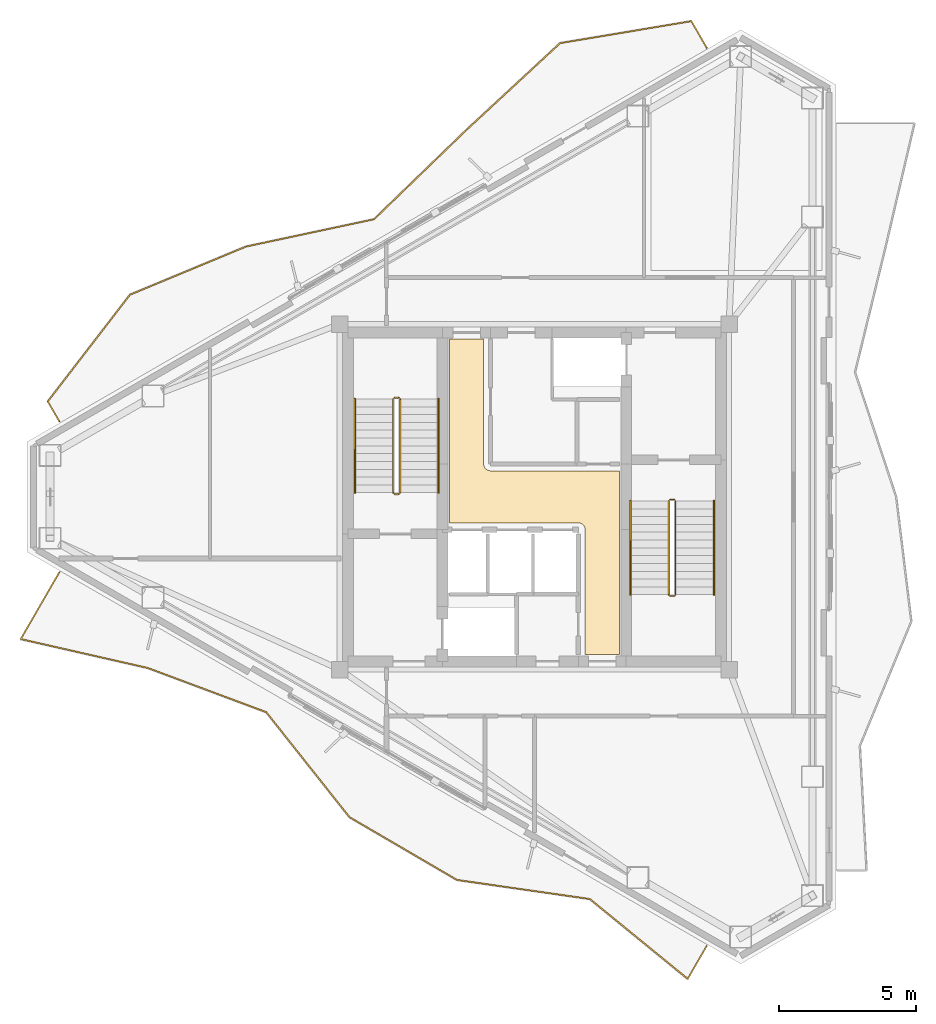
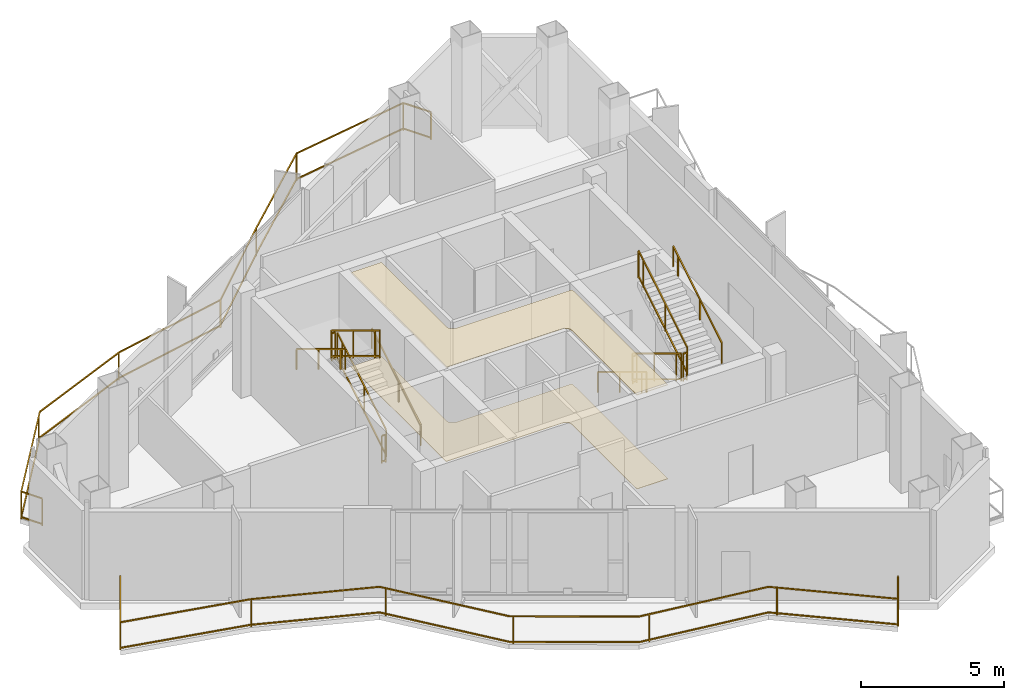
# One storey, part 13 of 14: 14 railings, 2 coverings.
"""IFC4 building model written with IfcOpenShell, lengths in metres."""

from ifc_helpers import new_model, si_unit, direction, frame, origin, origin_2d, place, context, subcontext, project, spatial, polyline, rectangle, outline, extrude, material, layer, layer_set, type_object, element, save


model = new_model("IFC4")

# Units and contexts
model_context = context("Model", 3, precision=1e-05, world=origin(), true_north=direction((0.0, 1.0)))
body_context = subcontext(model_context, "Body", "Model", "MODEL_VIEW")
ifc_project = project(units=[si_unit("LENGTHUNIT", "METRE"), si_unit("AREAUNIT", "SQUARE_METRE"), si_unit("VOLUMEUNIT", "CUBIC_METRE"), si_unit("PLANEANGLEUNIT", "RADIAN"), si_unit("MASSUNIT", "GRAM", prefix="KILO")], contexts=[model_context])

# Site, building, storey
site_placement = place(None, origin())
site = spatial("IfcSite", under=ifc_project, at=site_placement, CompositionType="ELEMENT")
building_placement = place(site_placement, origin())
building = spatial("IfcBuilding", under=site, at=building_placement, Name="Mersakhor Tower and Convention Hall", CompositionType="ELEMENT")
storey_placement = place(building_placement, frame((0.0, 0.0, 254.10009765625)))
storey = spatial("IfcBuildingStorey", under=building, at=storey_placement, Name="L71", CompositionType="ELEMENT", Elevation=254.10009765625)

# Coverings
ifc_material_1 = material(Name="Acoustic mineral-fibre suspended ceiling", Category="other")
ifc_layer_1 = layer(ifc_material_1, 0.02490234375)
ifc_layer_set_1 = layer_set([ifc_layer_1], Name="Acoustic mineral-fibre suspended ceiling")
covering_type_1 = type_object("IfcCoveringType", Name="COV-CLG-25", PredefinedType="CEILING", material=ifc_layer_set_1)
covering_1_placement = place(storey_placement, frame((0.0, 0.0, 4.02001953125)))
element("IfcCovering", 1, at=covering_1_placement, inside=storey, type_object=covering_type_1, Name="L71 Central Passenger Lift Lobby Acoustic Suspended Ceiling", PredefinedType="CEILING", context=body_context, shape_type="SweptSolid", body=[
    extrude(outline(polyline([(30.85009765625, 21.0), (30.85009765625, 25.550048828125), (30.848876953125, 25.574462890625), (30.84521484375, 25.598876953125), (30.839111328125, 25.62255859375), (30.8310546875, 25.645751953125), (30.820556640625, 25.667724609375), (30.807861328125, 25.68896484375), (30.793212890625, 25.70849609375), (30.77685546875, 25.726806640625), (30.758544921875, 25.743408203125), (30.739013671875, 25.7578125), (30.7177734375, 25.7705078125), (30.69580078125, 25.781005859375), (30.672607421875, 25.789306640625), (30.648681640625, 25.795166015625), (30.62451171875, 25.798828125), (30.60009765625, 25.800048828125), (25.89990234375, 25.800048828125), (25.89990234375, 32.5), (27.14990234375, 32.5), (27.14990234375, 27.949951171875), (27.151123046875, 27.925537109375), (27.15478515625, 27.901123046875), (27.160888671875, 27.87744140625), (27.1689453125, 27.854248046875), (27.179443359375, 27.832275390625), (27.192138671875, 27.81103515625), (27.206787109375, 27.79150390625), (27.22314453125, 27.773193359375), (27.241455078125, 27.756591796875), (27.260986328125, 27.7421875), (27.2822265625, 27.7294921875), (27.30419921875, 27.718994140625), (27.327392578125, 27.710693359375), (27.351318359375, 27.704833984375), (27.37548828125, 27.701171875), (27.39990234375, 27.699951171875), (32.10009765625, 27.699951171875), (32.10009765625, 21.0), (30.85009765625, 21.0)])), origin(), (0.0, 0.0, 1.0), 0.02490234375),
])
ifc_material_2 = material(Name="Polished porcelain tile flooring", Category="other")
ifc_layer_2 = layer(ifc_material_2, 0.02001953125)
ifc_layer_set_2 = layer_set([ifc_layer_2], Name="Polished porcelain tile flooring")
covering_type_2 = type_object("IfcCoveringType", Name="COV-FLR-20", PredefinedType="FLOORING", material=ifc_layer_set_2)
covering_2_placement = place(storey_placement, origin())
element("IfcCovering", 2, at=covering_2_placement, inside=storey, type_object=covering_type_2, Name="L71 Central Passenger Lift Lobby Porcelain Floor Finish", PredefinedType="FLOORING", context=body_context, shape_type="SweptSolid", body=[
    extrude(outline(polyline([(30.85009765625, 21.0), (30.85009765625, 25.550048828125), (30.848876953125, 25.574462890625), (30.84521484375, 25.598876953125), (30.839111328125, 25.62255859375), (30.8310546875, 25.645751953125), (30.820556640625, 25.667724609375), (30.807861328125, 25.68896484375), (30.793212890625, 25.70849609375), (30.77685546875, 25.726806640625), (30.758544921875, 25.743408203125), (30.739013671875, 25.7578125), (30.7177734375, 25.7705078125), (30.69580078125, 25.781005859375), (30.672607421875, 25.789306640625), (30.648681640625, 25.795166015625), (30.62451171875, 25.798828125), (30.60009765625, 25.800048828125), (25.89990234375, 25.800048828125), (25.89990234375, 32.5), (27.14990234375, 32.5), (27.14990234375, 27.949951171875), (27.151123046875, 27.925537109375), (27.15478515625, 27.901123046875), (27.160888671875, 27.87744140625), (27.1689453125, 27.854248046875), (27.179443359375, 27.832275390625), (27.192138671875, 27.81103515625), (27.206787109375, 27.79150390625), (27.22314453125, 27.773193359375), (27.241455078125, 27.756591796875), (27.260986328125, 27.7421875), (27.2822265625, 27.7294921875), (27.30419921875, 27.718994140625), (27.327392578125, 27.710693359375), (27.351318359375, 27.704833984375), (27.37548828125, 27.701171875), (27.39990234375, 27.699951171875), (32.10009765625, 27.699951171875), (32.10009765625, 21.0), (30.85009765625, 21.0)])), origin(), (0.0, 0.0, 1.0), 0.02001953125),
])

# Railings
ifc_material_3 = material(Name="Powder-coated galvanised steel and laminated glass balustrade", Category="steel")
railing_type_1 = type_object("IfcRailingType", Name="RL-BAL-1200", PredefinedType="BALUSTRADE", material=ifc_material_3)
railing_1_placement = place(storey_placement, frame((35.287841796875, 43.13134765625, 0.0)))
element("IfcRailing", 3, at=railing_1_placement, inside=storey, type_object=railing_type_1, Name="L71 Sinusoidal Balcony Balustrade F1", PredefinedType="BALUSTRADE", context=body_context, shape_type="SweptSolid", body=[
    extrude(rectangle(XDim=0.048095703125, YDim=0.048095703125, at=origin_2d()), frame((0.0, 0.0, 1.17578125), z_axis=(-0.500005339912, 0.866022320763, 0.0), x_axis=(-0.866022320763, -0.500005339912, 0.0)), (0.0, 0.0, 1.0), 1.12060546875),
    extrude(rectangle(XDim=0.048095703125, YDim=0.048095703125, at=origin_2d()), frame((0.0, 0.0, 0.080078125), z_axis=(-0.500005339912, 0.866022320763, 0.0), x_axis=(-0.866022320763, -0.500005339912, 0.0)), (0.0, 0.0, 1.0), 1.12060546875),
    extrude(rectangle(XDim=0.048095703125, YDim=0.048095703125, at=origin_2d()), frame((-0.560302734375, 0.970458984375, 1.17578125), z_axis=(-0.986282198573, -0.165067939886, 0.0), x_axis=(0.165067939886, -0.986282198573, 0.0)), (0.0, 0.0, 1.0), 4.852783203125),
    extrude(rectangle(XDim=0.048095703125, YDim=0.048095703125, at=origin_2d()), frame((-0.560302734375, 0.970458984375, 0.080078125), z_axis=(-0.986282198573, -0.165067939886, 0.0), x_axis=(0.165067939886, -0.986282198573, 0.0)), (0.0, 0.0, 1.0), 4.852783203125),
    extrude(rectangle(XDim=0.048095703125, YDim=0.048095703125, at=origin_2d()), frame((-5.346435546875, 0.16943359375, 1.17578125), z_axis=(-0.733565300906, -0.679618973622, 0.0), x_axis=(0.679618973622, -0.733565300906, 0.0)), (0.0, 0.0, 1.0), 4.661376953125),
    extrude(rectangle(XDim=0.048095703125, YDim=0.048095703125, at=origin_2d()), frame((-5.346435546875, 0.16943359375, 0.080078125), z_axis=(-0.733565300906, -0.679618973622, 0.0), x_axis=(0.679618973622, -0.733565300906, 0.0)), (0.0, 0.0, 1.0), 4.661376953125),
    extrude(rectangle(XDim=0.048095703125, YDim=0.048095703125, at=origin_2d()), frame((-8.765869140625, -2.99853515625, 1.17578125), z_axis=(-0.718938899729, -0.695073275602, 0.0), x_axis=(0.695073275602, -0.718938899729, 0.0)), (0.0, 0.0, 1.0), 4.685302734375),
    extrude(rectangle(XDim=0.048095703125, YDim=0.048095703125, at=origin_2d()), frame((-8.765869140625, -2.99853515625, 0.080078125), z_axis=(-0.718938899729, -0.695073275602, 0.0), x_axis=(0.695073275602, -0.718938899729, 0.0)), (0.0, 0.0, 1.0), 4.685302734375),
    extrude(rectangle(XDim=0.048095703125, YDim=0.048095703125, at=origin_2d()), frame((-12.13427734375, -6.255126953125, 1.17578125), z_axis=(-0.977984494797, -0.208677569318, 0.0), x_axis=(0.208677569318, -0.977984494797, 0.0)), (0.0, 0.0, 1.0), 4.778076171875),
    extrude(rectangle(XDim=0.048095703125, YDim=0.048095703125, at=origin_2d()), frame((-12.13427734375, -6.255126953125, 0.080078125), z_axis=(-0.977984494797, -0.208677569318, 0.0), x_axis=(0.208677569318, -0.977984494797, 0.0)), (0.0, 0.0, 1.0), 4.778076171875),
    extrude(rectangle(XDim=0.048095703125, YDim=0.048095703125, at=origin_2d()), frame((-16.80712890625, -7.252197265625, 1.17578125), z_axis=(-0.923602337409, -0.383351956214, 0.0), x_axis=(0.383351956214, -0.923602337409, 0.0)), (0.0, 0.0, 1.0), 4.583984375),
    extrude(rectangle(XDim=0.048095703125, YDim=0.048095703125, at=origin_2d()), frame((-16.80712890625, -7.252197265625, 0.080078125), z_axis=(-0.923602337409, -0.383351956214, 0.0), x_axis=(0.383351956214, -0.923602337409, 0.0)), (0.0, 0.0, 1.0), 4.583984375),
    extrude(rectangle(XDim=0.048095703125, YDim=0.048095703125, at=origin_2d()), frame((-21.041015625, -9.009521484375, 1.17578125), z_axis=(-0.610113863601, -0.792313746846, 0.0), x_axis=(0.792313746846, -0.610113863601, 0.0)), (0.0, 0.0, 1.0), 4.916259765625),
    extrude(rectangle(XDim=0.048095703125, YDim=0.048095703125, at=origin_2d()), frame((-21.041015625, -9.009521484375, 0.080078125), z_axis=(-0.610113863601, -0.792313746846, 0.0), x_axis=(0.792313746846, -0.610113863601, 0.0)), (0.0, 0.0, 1.0), 4.916259765625),
    extrude(rectangle(XDim=0.048095703125, YDim=0.048095703125, at=origin_2d()), frame((-24.04052734375, -12.90478515625, 1.17578125), z_axis=(0.499964420222, -0.866045944804, 0.0), x_axis=(0.866045944804, 0.499964420222, 0.0)), (0.0, 0.0, 1.0), 0.84423828125),
    extrude(rectangle(XDim=0.048095703125, YDim=0.048095703125, at=origin_2d()), frame((-24.04052734375, -12.90478515625, 0.080078125), z_axis=(0.499964420222, -0.866045944804, 0.0), x_axis=(0.866045944804, 0.499964420222, 0.0)), (0.0, 0.0, 1.0), 0.84423828125),
    extrude(rectangle(XDim=0.0419921875, YDim=0.0419921875, at=origin_2d()), origin(), (0.0, 0.0, 1.0), 1.15185546875),
    extrude(rectangle(XDim=0.0419921875, YDim=0.0419921875, at=origin_2d()), frame((-0.560302734375, 0.970458984375, 0.0)), (0.0, 0.0, 1.0), 1.15185546875),
    extrude(rectangle(XDim=0.0419921875, YDim=0.0419921875, at=origin_2d()), frame((-5.346435546875, 0.16943359375, 0.0)), (0.0, 0.0, 1.0), 1.15185546875),
    extrude(rectangle(XDim=0.0419921875, YDim=0.0419921875, at=origin_2d()), frame((-8.865478515625, -3.094970703125, 0.0)), (0.0, 0.0, 1.0), 1.15185546875),
    extrude(rectangle(XDim=0.0419921875, YDim=0.0419921875, at=origin_2d()), frame((-12.13427734375, -6.255126953125, 0.0)), (0.0, 0.0, 1.0), 1.15185546875),
    extrude(rectangle(XDim=0.0419921875, YDim=0.0419921875, at=origin_2d()), frame((-16.827392578125, -7.260498046875, 0.0)), (0.0, 0.0, 1.0), 1.15185546875),
    extrude(rectangle(XDim=0.0419921875, YDim=0.0419921875, at=origin_2d()), frame((-21.18603515625, -9.197998046875, 0.0)), (0.0, 0.0, 1.0), 1.15185546875),
    extrude(rectangle(XDim=0.0419921875, YDim=0.0419921875, at=origin_2d()), frame((-24.04052734375, -12.90478515625, 0.0)), (0.0, 0.0, 1.0), 1.15185546875),
    extrude(rectangle(XDim=0.0419921875, YDim=0.0419921875, at=origin_2d()), frame((-23.618408203125, -13.635986328125, 0.0)), (0.0, 0.0, 1.0), 1.15185546875),
])
railing_2_placement = place(storey_placement, frame((11.66943359375, 24.004638671875, 0.0)))
element("IfcRailing", 4, at=railing_2_placement, inside=storey, type_object=railing_type_1, Name="L71 Sinusoidal Balcony Balustrade F3", PredefinedType="BALUSTRADE", context=body_context, shape_type="SweptSolid", body=[
    extrude(rectangle(XDim=0.048095703125, YDim=0.048095703125, at=origin_2d()), frame((0.0, 0.0, 1.17578125), z_axis=(-0.499984757355, -0.866034203951, 0.0), x_axis=(0.866034203951, -0.499984757355, 0.0)), (0.0, 0.0, 1.0), 2.81982421875),
    extrude(rectangle(XDim=0.048095703125, YDim=0.048095703125, at=origin_2d()), frame((0.0, 0.0, 0.080078125), z_axis=(-0.499984757355, -0.866034203951, 0.0), x_axis=(0.866034203951, -0.499984757355, 0.0)), (0.0, 0.0, 1.0), 2.81982421875),
    extrude(rectangle(XDim=0.048095703125, YDim=0.048095703125, at=origin_2d()), frame((-1.409912109375, -2.442138671875, 1.17578125), z_axis=(0.975084441348, -0.221834019574, 0.0), x_axis=(0.221834019574, 0.975084441348, 0.0)), (0.0, 0.0, 1.0), 4.7578125),
    extrude(rectangle(XDim=0.048095703125, YDim=0.048095703125, at=origin_2d()), frame((-1.409912109375, -2.442138671875, 0.080078125), z_axis=(0.975084441348, -0.221834019574, 0.0), x_axis=(0.221834019574, 0.975084441348, 0.0)), (0.0, 0.0, 1.0), 4.7578125),
    extrude(rectangle(XDim=0.048095703125, YDim=0.048095703125, at=origin_2d()), frame((3.229248046875, -3.49755859375, 1.17578125), z_axis=(0.936961099966, -0.349433680619, 0.0), x_axis=(0.349433680619, 0.936961099966, 0.0)), (0.0, 0.0, 1.0), 4.609130859375),
    extrude(rectangle(XDim=0.048095703125, YDim=0.048095703125, at=origin_2d()), frame((3.229248046875, -3.49755859375, 0.080078125), z_axis=(0.936961099966, -0.349433680619, 0.0), x_axis=(0.349433680619, 0.936961099966, 0.0)), (0.0, 0.0, 1.0), 4.609130859375),
    extrude(rectangle(XDim=0.048095703125, YDim=0.048095703125, at=origin_2d()), frame((7.5478515625, -5.108154296875, 1.17578125), z_axis=(0.621327044745, -0.783551340672, 0.0), x_axis=(0.783551340672, 0.621327044745, 0.0)), (0.0, 0.0, 1.0), 4.88818359375),
    extrude(rectangle(XDim=0.048095703125, YDim=0.048095703125, at=origin_2d()), frame((7.5478515625, -5.108154296875, 0.080078125), z_axis=(0.621327044745, -0.783551340672, 0.0), x_axis=(0.783551340672, 0.621327044745, 0.0)), (0.0, 0.0, 1.0), 4.88818359375),
    extrude(rectangle(XDim=0.048095703125, YDim=0.048095703125, at=origin_2d()), frame((10.5849609375, -8.938232421875, 1.17578125), z_axis=(0.863587923327, -0.504198273185, 0.0), x_axis=(0.504198273185, 0.863587923327, 0.0)), (0.0, 0.0, 1.0), 4.54541015625),
    extrude(rectangle(XDim=0.048095703125, YDim=0.048095703125, at=origin_2d()), frame((10.5849609375, -8.938232421875, 0.080078125), z_axis=(0.863587923327, -0.504198273185, 0.0), x_axis=(0.504198273185, 0.863587923327, 0.0)), (0.0, 0.0, 1.0), 4.54541015625),
    extrude(rectangle(XDim=0.048095703125, YDim=0.048095703125, at=origin_2d()), frame((14.51025390625, -11.22998046875, 1.17578125), z_axis=(0.989837496646, -0.142203130185, 0.0), x_axis=(0.142203130185, 0.989837496646, 0.0)), (0.0, 0.0, 1.0), 4.896484375),
    extrude(rectangle(XDim=0.048095703125, YDim=0.048095703125, at=origin_2d()), frame((14.51025390625, -11.22998046875, 0.080078125), z_axis=(0.989837496646, -0.142203130185, 0.0), x_axis=(0.142203130185, 0.989837496646, 0.0)), (0.0, 0.0, 1.0), 4.896484375),
    extrude(rectangle(XDim=0.048095703125, YDim=0.048095703125, at=origin_2d()), frame((19.35693359375, -11.92626953125, 1.17578125), z_axis=(0.7748588702, -0.632134266808, 0.0), x_axis=(0.632134266808, 0.7748588702, 0.0)), (0.0, 0.0, 1.0), 4.604736328125),
    extrude(rectangle(XDim=0.048095703125, YDim=0.048095703125, at=origin_2d()), frame((19.35693359375, -11.92626953125, 0.080078125), z_axis=(0.7748588702, -0.632134266808, 0.0), x_axis=(0.632134266808, 0.7748588702, 0.0)), (0.0, 0.0, 1.0), 4.604736328125),
    extrude(rectangle(XDim=0.048095703125, YDim=0.048095703125, at=origin_2d()), frame((22.925048828125, -14.837158203125, 1.17578125), z_axis=(0.499925626596, 0.866068339032, 0.0), x_axis=(-0.866068339032, 0.499925626596, 0.0)), (0.0, 0.0, 1.0), 1.386962890625),
    extrude(rectangle(XDim=0.048095703125, YDim=0.048095703125, at=origin_2d()), frame((22.925048828125, -14.837158203125, 0.080078125), z_axis=(0.499925626596, 0.866068339032, 0.0), x_axis=(-0.866068339032, 0.499925626596, 0.0)), (0.0, 0.0, 1.0), 1.386962890625),
    extrude(rectangle(XDim=0.0419921875, YDim=0.0419921875, at=origin_2d()), origin(), (0.0, 0.0, 1.0), 1.15185546875),
    extrude(rectangle(XDim=0.0419921875, YDim=0.0419921875, at=origin_2d()), frame((-1.409912109375, -2.442138671875, 0.0)), (0.0, 0.0, 1.0), 1.15185546875),
    extrude(rectangle(XDim=0.0419921875, YDim=0.0419921875, at=origin_2d()), frame((3.268798828125, -3.512451171875, 0.0)), (0.0, 0.0, 1.0), 1.15185546875),
    extrude(rectangle(XDim=0.0419921875, YDim=0.0419921875, at=origin_2d()), frame((7.692626953125, -5.290771484375, 0.0)), (0.0, 0.0, 1.0), 1.15185546875),
    extrude(rectangle(XDim=0.0419921875, YDim=0.0419921875, at=origin_2d()), frame((10.710205078125, -9.011474609375, 0.0)), (0.0, 0.0, 1.0), 1.15185546875),
    extrude(rectangle(XDim=0.0419921875, YDim=0.0419921875, at=origin_2d()), frame((14.906005859375, -11.286865234375, 0.0)), (0.0, 0.0, 1.0), 1.15185546875),
    extrude(rectangle(XDim=0.0419921875, YDim=0.0419921875, at=origin_2d()), frame((19.592041015625, -12.117919921875, 0.0)), (0.0, 0.0, 1.0), 1.15185546875),
    extrude(rectangle(XDim=0.0419921875, YDim=0.0419921875, at=origin_2d()), frame((22.925048828125, -14.837158203125, 0.0)), (0.0, 0.0, 1.0), 1.15185546875),
    extrude(rectangle(XDim=0.0419921875, YDim=0.0419921875, at=origin_2d()), frame((23.618408203125, -13.635986328125, 0.0)), (0.0, 0.0, 1.0), 1.15185546875),
])
ifc_material_4 = material(Name="Brushed stainless steel handrail", Category="steel")
railing_type_2 = type_object("IfcRailingType", Name="RL-HR-900", PredefinedType="HANDRAIL", material=ifc_material_4)
railing_3_placement = place(storey_placement, frame((25.5, 26.89990234375, 0.173095703125)))
element("IfcRailing", 5, at=railing_3_placement, inside=storey, type_object=railing_type_2, Name="L71 ST-1 stair handrail 1", PredefinedType="HANDRAIL", context=body_context, shape_type="SweptSolid", body=[
    extrude(rectangle(XDim=0.048095703125, YDim=0.048095703125, at=origin_2d()), frame((0.0, 0.0, 0.8759765625), z_axis=(0.0, 0.854745945586, 0.519046595696), x_axis=(-1.0, 0.0, 0.0)), (0.0, 0.0, 1.0), 4.00146484375),
    extrude(rectangle(XDim=0.0419921875, YDim=0.0419921875, at=origin_2d()), origin(), (0.0, 0.0, 1.0), 0.851806640625),
    extrude(rectangle(XDim=0.0419921875, YDim=0.0419921875, at=origin_2d()), frame((0.0, 1.53857421875, 0.934326171875)), (0.0, 0.0, 1.0), 0.851806640625),
    extrude(rectangle(XDim=0.0419921875, YDim=0.0419921875, at=origin_2d()), frame((0.0, 3.0771484375, 1.86865234375)), (0.0, 0.0, 1.0), 0.851806640625),
    extrude(rectangle(XDim=0.0419921875, YDim=0.0419921875, at=origin_2d()), frame((0.0, 3.420166015625, 2.076904296875)), (0.0, 0.0, 1.0), 0.851806640625),
])
for number, where, name in (
    (6, (22.449951171875, 30.320068359375, 2.423095703125), "L71 ST-1 stair handrail 2"),
    (7, (32.5, 26.60009765625, 0.173095703125), "L71 ST-2 stair handrail 1"),
):
    element("IfcRailing", number, at=place(storey_placement, frame(where)), inside=storey, type_object=railing_type_2, Name=name, PredefinedType="HANDRAIL", context=body_context, shape_type="SweptSolid", body=[
        extrude(rectangle(XDim=0.048095703125, YDim=0.048095703125, at=origin_2d()), frame((0.0, 0.0, 0.8759765625), z_axis=(0.0, -0.854745945586, 0.519046595696), x_axis=(1.0, 0.0, 0.0)), (0.0, 0.0, 1.0), 4.00146484375),
        extrude(rectangle(XDim=0.0419921875, YDim=0.0419921875, at=origin_2d()), origin(), (0.0, 0.0, 1.0), 0.851806640625),
        extrude(rectangle(XDim=0.0419921875, YDim=0.0419921875, at=origin_2d()), frame((0.0, -1.53857421875, 0.934326171875)), (0.0, 0.0, 1.0), 0.851806640625),
        extrude(rectangle(XDim=0.0419921875, YDim=0.0419921875, at=origin_2d()), frame((0.0, -3.0771484375, 1.86865234375)), (0.0, 0.0, 1.0), 0.851806640625),
        extrude(rectangle(XDim=0.0419921875, YDim=0.0419921875, at=origin_2d()), frame((0.0, -3.420166015625, 2.076904296875)), (0.0, 0.0, 1.0), 0.851806640625),
    ])
railing_4_placement = place(storey_placement, frame((35.550048828125, 23.179931640625, 2.423095703125)))
element("IfcRailing", 8, at=railing_4_placement, inside=storey, type_object=railing_type_2, Name="L71 ST-2 stair handrail 2", PredefinedType="HANDRAIL", context=body_context, shape_type="SweptSolid", body=[
    extrude(rectangle(XDim=0.048095703125, YDim=0.048095703125, at=origin_2d()), frame((0.0, 0.0, 0.8759765625), z_axis=(0.0, 0.854745945586, 0.519046595696), x_axis=(-1.0, 0.0, 0.0)), (0.0, 0.0, 1.0), 4.00146484375),
    extrude(rectangle(XDim=0.0419921875, YDim=0.0419921875, at=origin_2d()), origin(), (0.0, 0.0, 1.0), 0.851806640625),
    extrude(rectangle(XDim=0.0419921875, YDim=0.0419921875, at=origin_2d()), frame((0.0, 1.53857421875, 0.934326171875)), (0.0, 0.0, 1.0), 0.851806640625),
    extrude(rectangle(XDim=0.0419921875, YDim=0.0419921875, at=origin_2d()), frame((0.0, 3.0771484375, 1.86865234375)), (0.0, 0.0, 1.0), 0.851806640625),
    extrude(rectangle(XDim=0.0419921875, YDim=0.0419921875, at=origin_2d()), frame((0.0, 3.420166015625, 2.076904296875)), (0.0, 0.0, 1.0), 0.851806640625),
])
ifc_material_5 = material(Name="Painted steel stair balustrade S355", Category="steel")
railing_type_3 = type_object("IfcRailingType", Name="RL-STG-1200", PredefinedType="BALUSTRADE", material=ifc_material_5)
railing_5_placement = place(storey_placement, frame((24.10009765625, 26.89990234375, 0.173095703125)))
element("IfcRailing", 9, at=railing_5_placement, inside=storey, type_object=railing_type_3, Name="L71 ST-1 stair guard 1", PredefinedType="BALUSTRADE", context=body_context, shape_type="SweptSolid", body=[
    extrude(rectangle(XDim=0.048095703125, YDim=0.048095703125, at=origin_2d()), frame((0.0, 0.0, 1.17578125), z_axis=(0.0, 0.854745945586, 0.519046595696), x_axis=(-1.0, 0.0, 0.0)), (0.0, 0.0, 1.0), 4.00146484375),
    extrude(rectangle(XDim=0.048095703125, YDim=0.048095703125, at=origin_2d()), frame((0.0, 0.0, 0.080078125), z_axis=(0.0, 0.854745945586, 0.519046595696), x_axis=(-1.0, 0.0, 0.0)), (0.0, 0.0, 1.0), 4.00146484375),
    extrude(rectangle(XDim=0.0419921875, YDim=0.0419921875, at=origin_2d()), origin(), (0.0, 0.0, 1.0), 1.15185546875),
    extrude(rectangle(XDim=0.0419921875, YDim=0.0419921875, at=origin_2d()), frame((0.0, 1.53857421875, 0.934326171875)), (0.0, 0.0, 1.0), 1.15185546875),
    extrude(rectangle(XDim=0.0419921875, YDim=0.0419921875, at=origin_2d()), frame((0.0, 3.0771484375, 1.86865234375)), (0.0, 0.0, 1.0), 1.15185546875),
    extrude(rectangle(XDim=0.0419921875, YDim=0.0419921875, at=origin_2d()), frame((0.0, 3.420166015625, 2.076904296875)), (0.0, 0.0, 1.0), 1.15185546875),
])
railing_6_placement = place(storey_placement, frame((24.050048828125, 30.3701171875, 2.25)))
element("IfcRailing", 10, at=railing_6_placement, inside=storey, type_object=railing_type_3, Name="L71 ST-1 stair guard 2", PredefinedType="BALUSTRADE", context=body_context, shape_type="SweptSolid", body=[
    extrude(rectangle(XDim=0.048095703125, YDim=0.048095703125, at=origin_2d()), frame((0.0, 0.0, 1.17578125), z_axis=(-1.0, 0.0, 0.0), x_axis=(0.0, -1.0, 0.0)), (0.0, 0.0, 1.0), 0.150146484375),
    extrude(rectangle(XDim=0.048095703125, YDim=0.048095703125, at=origin_2d()), frame((0.0, 0.0, 0.080078125), z_axis=(-1.0, 0.0, 0.0), x_axis=(0.0, -1.0, 0.0)), (0.0, 0.0, 1.0), 0.150146484375),
    extrude(rectangle(XDim=0.0419921875, YDim=0.0419921875, at=origin_2d()), origin(), (0.0, 0.0, 1.0), 1.15185546875),
    extrude(rectangle(XDim=0.0419921875, YDim=0.0419921875, at=origin_2d()), frame((-0.150146484375, 0.0, 0.0)), (0.0, 0.0, 1.0), 1.15185546875),
])
railing_7_placement = place(storey_placement, frame((23.85009765625, 30.320068359375, 2.423095703125)))
element("IfcRailing", 11, at=railing_7_placement, inside=storey, type_object=railing_type_3, Name="L71 ST-1 stair guard 3", PredefinedType="BALUSTRADE", context=body_context, shape_type="SweptSolid", body=[
    extrude(rectangle(XDim=0.048095703125, YDim=0.048095703125, at=origin_2d()), frame((0.0, 0.0, 1.17578125), z_axis=(0.0, -0.854745945586, 0.519046595696), x_axis=(1.0, 0.0, 0.0)), (0.0, 0.0, 1.0), 4.00146484375),
    extrude(rectangle(XDim=0.048095703125, YDim=0.048095703125, at=origin_2d()), frame((0.0, 0.0, 0.080078125), z_axis=(0.0, -0.854745945586, 0.519046595696), x_axis=(1.0, 0.0, 0.0)), (0.0, 0.0, 1.0), 4.00146484375),
    extrude(rectangle(XDim=0.0419921875, YDim=0.0419921875, at=origin_2d()), origin(), (0.0, 0.0, 1.0), 1.15185546875),
    extrude(rectangle(XDim=0.0419921875, YDim=0.0419921875, at=origin_2d()), frame((0.0, -1.53857421875, 0.934326171875)), (0.0, 0.0, 1.0), 1.15185546875),
    extrude(rectangle(XDim=0.0419921875, YDim=0.0419921875, at=origin_2d()), frame((0.0, -3.0771484375, 1.86865234375)), (0.0, 0.0, 1.0), 1.15185546875),
    extrude(rectangle(XDim=0.0419921875, YDim=0.0419921875, at=origin_2d()), frame((0.0, -3.420166015625, 2.076904296875)), (0.0, 0.0, 1.0), 1.15185546875),
])
railing_8_placement = place(storey_placement, frame((24.050048828125, 26.85009765625, 0.0)))
element("IfcRailing", 12, at=railing_8_placement, inside=storey, type_object=railing_type_3, Name="L71 ST-1 stair guard 4", PredefinedType="BALUSTRADE", context=body_context, shape_type="SweptSolid", body=[
    extrude(rectangle(XDim=0.048095703125, YDim=0.048095703125, at=origin_2d()), frame((0.0, 0.0, 1.17578125), z_axis=(-1.0, 0.0, 0.0), x_axis=(0.0, -1.0, 0.0)), (0.0, 0.0, 1.0), 0.150146484375),
    extrude(rectangle(XDim=0.048095703125, YDim=0.048095703125, at=origin_2d()), frame((0.0, 0.0, 0.080078125), z_axis=(-1.0, 0.0, 0.0), x_axis=(0.0, -1.0, 0.0)), (0.0, 0.0, 1.0), 0.150146484375),
    extrude(rectangle(XDim=0.0419921875, YDim=0.0419921875, at=origin_2d()), origin(), (0.0, 0.0, 1.0), 1.15185546875),
    extrude(rectangle(XDim=0.0419921875, YDim=0.0419921875, at=origin_2d()), frame((-0.150146484375, 0.0, 0.0)), (0.0, 0.0, 1.0), 1.15185546875),
])
railing_9_placement = place(storey_placement, frame((33.89990234375, 26.60009765625, 0.173095703125)))
element("IfcRailing", 13, at=railing_9_placement, inside=storey, type_object=railing_type_3, Name="L71 ST-2 stair guard 1", PredefinedType="BALUSTRADE", context=body_context, shape_type="SweptSolid", body=[
    extrude(rectangle(XDim=0.048095703125, YDim=0.048095703125, at=origin_2d()), frame((0.0, 0.0, 1.17578125), z_axis=(0.0, -0.854745945586, 0.519046595696), x_axis=(1.0, 0.0, 0.0)), (0.0, 0.0, 1.0), 4.00146484375),
    extrude(rectangle(XDim=0.048095703125, YDim=0.048095703125, at=origin_2d()), frame((0.0, 0.0, 0.080078125), z_axis=(0.0, -0.854745945586, 0.519046595696), x_axis=(1.0, 0.0, 0.0)), (0.0, 0.0, 1.0), 4.00146484375),
    extrude(rectangle(XDim=0.0419921875, YDim=0.0419921875, at=origin_2d()), origin(), (0.0, 0.0, 1.0), 1.15185546875),
    extrude(rectangle(XDim=0.0419921875, YDim=0.0419921875, at=origin_2d()), frame((0.0, -1.53857421875, 0.934326171875)), (0.0, 0.0, 1.0), 1.15185546875),
    extrude(rectangle(XDim=0.0419921875, YDim=0.0419921875, at=origin_2d()), frame((0.0, -3.0771484375, 1.86865234375)), (0.0, 0.0, 1.0), 1.15185546875),
    extrude(rectangle(XDim=0.0419921875, YDim=0.0419921875, at=origin_2d()), frame((0.0, -3.420166015625, 2.076904296875)), (0.0, 0.0, 1.0), 1.15185546875),
])
railing_10_placement = place(storey_placement, frame((33.949951171875, 23.1298828125, 2.25)))
element("IfcRailing", 14, at=railing_10_placement, inside=storey, type_object=railing_type_3, Name="L71 ST-2 stair guard 2", PredefinedType="BALUSTRADE", context=body_context, shape_type="SweptSolid", body=[
    extrude(rectangle(XDim=0.048095703125, YDim=0.048095703125, at=origin_2d()), frame((0.0, 0.0, 1.17578125), z_axis=(1.0, 0.0, 0.0), x_axis=(0.0, 1.0, 0.0)), (0.0, 0.0, 1.0), 0.150146484375),
    extrude(rectangle(XDim=0.048095703125, YDim=0.048095703125, at=origin_2d()), frame((0.0, 0.0, 0.080078125), z_axis=(1.0, 0.0, 0.0), x_axis=(0.0, 1.0, 0.0)), (0.0, 0.0, 1.0), 0.150146484375),
    extrude(rectangle(XDim=0.0419921875, YDim=0.0419921875, at=origin_2d()), origin(), (0.0, 0.0, 1.0), 1.15185546875),
    extrude(rectangle(XDim=0.0419921875, YDim=0.0419921875, at=origin_2d()), frame((0.150146484375, 0.0, 0.0)), (0.0, 0.0, 1.0), 1.15185546875),
])
railing_11_placement = place(storey_placement, frame((34.14990234375, 23.179931640625, 2.423095703125)))
element("IfcRailing", 15, at=railing_11_placement, inside=storey, type_object=railing_type_3, Name="L71 ST-2 stair guard 3", PredefinedType="BALUSTRADE", context=body_context, shape_type="SweptSolid", body=[
    extrude(rectangle(XDim=0.048095703125, YDim=0.048095703125, at=origin_2d()), frame((0.0, 0.0, 1.17578125), z_axis=(0.0, 0.854745945586, 0.519046595696), x_axis=(-1.0, 0.0, 0.0)), (0.0, 0.0, 1.0), 4.00146484375),
    extrude(rectangle(XDim=0.048095703125, YDim=0.048095703125, at=origin_2d()), frame((0.0, 0.0, 0.080078125), z_axis=(0.0, 0.854745945586, 0.519046595696), x_axis=(-1.0, 0.0, 0.0)), (0.0, 0.0, 1.0), 4.00146484375),
    extrude(rectangle(XDim=0.0419921875, YDim=0.0419921875, at=origin_2d()), origin(), (0.0, 0.0, 1.0), 1.15185546875),
    extrude(rectangle(XDim=0.0419921875, YDim=0.0419921875, at=origin_2d()), frame((0.0, 1.53857421875, 0.934326171875)), (0.0, 0.0, 1.0), 1.15185546875),
    extrude(rectangle(XDim=0.0419921875, YDim=0.0419921875, at=origin_2d()), frame((0.0, 3.0771484375, 1.86865234375)), (0.0, 0.0, 1.0), 1.15185546875),
    extrude(rectangle(XDim=0.0419921875, YDim=0.0419921875, at=origin_2d()), frame((0.0, 3.420166015625, 2.076904296875)), (0.0, 0.0, 1.0), 1.15185546875),
])
railing_12_placement = place(storey_placement, frame((33.949951171875, 26.64990234375, 0.0)))
element("IfcRailing", 16, at=railing_12_placement, inside=storey, type_object=railing_type_3, Name="L71 ST-2 stair guard 4", PredefinedType="BALUSTRADE", context=body_context, shape_type="SweptSolid", body=[
    extrude(rectangle(XDim=0.048095703125, YDim=0.048095703125, at=origin_2d()), frame((0.0, 0.0, 1.17578125), z_axis=(1.0, 0.0, 0.0), x_axis=(0.0, 1.0, 0.0)), (0.0, 0.0, 1.0), 0.150146484375),
    extrude(rectangle(XDim=0.048095703125, YDim=0.048095703125, at=origin_2d()), frame((0.0, 0.0, 0.080078125), z_axis=(1.0, 0.0, 0.0), x_axis=(0.0, 1.0, 0.0)), (0.0, 0.0, 1.0), 0.150146484375),
    extrude(rectangle(XDim=0.0419921875, YDim=0.0419921875, at=origin_2d()), origin(), (0.0, 0.0, 1.0), 1.15185546875),
    extrude(rectangle(XDim=0.0419921875, YDim=0.0419921875, at=origin_2d()), frame((0.150146484375, 0.0, 0.0)), (0.0, 0.0, 1.0), 1.15185546875),
])

save(model, "model.ifc")
